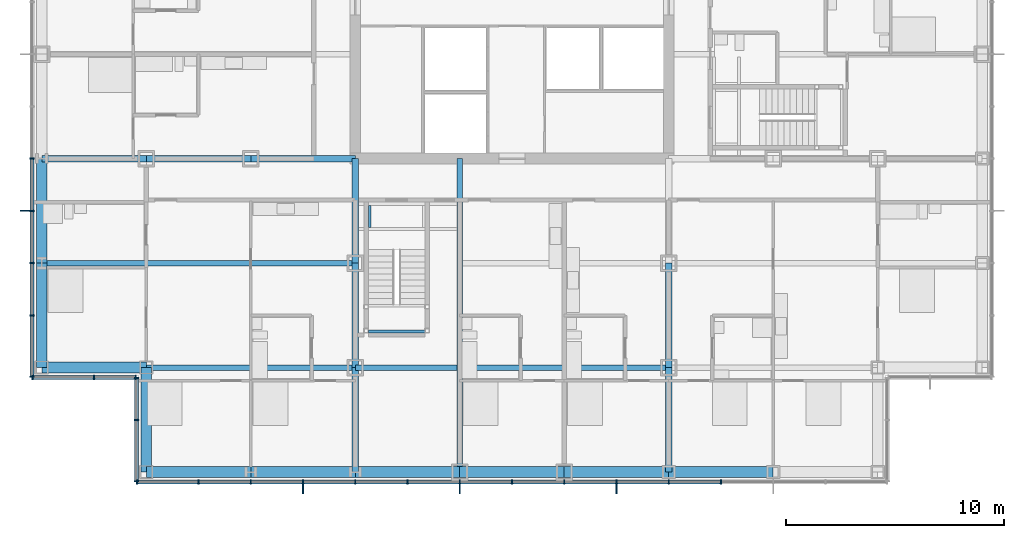
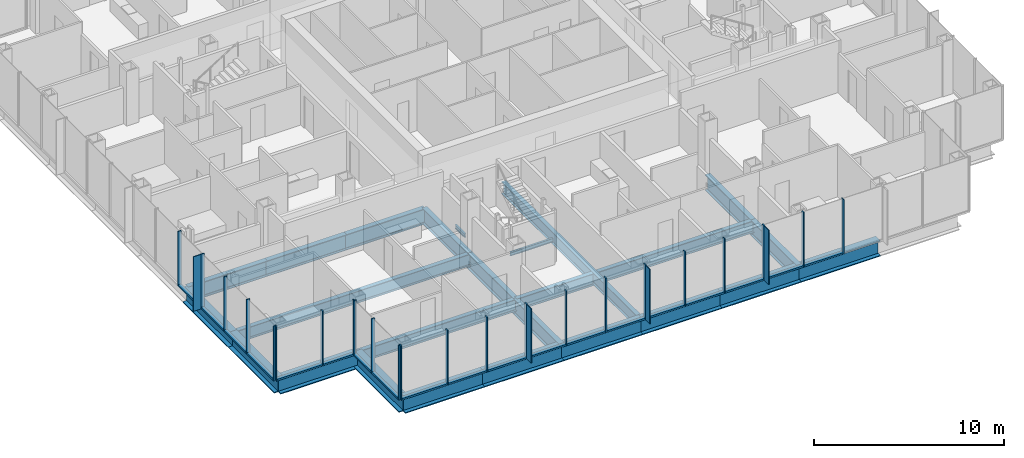
# One storey, part 6 of 21: 46 members, 25 beams, 4 elements without a shape of their own.
"""IFC4 building model written with IfcOpenShell, lengths in metres."""

from ifc_helpers import new_model, si_unit, direction, frame, origin, origin_2d, place, context, subcontext, project, spatial, rectangle, i_section, extrude, material, material_profile, profile_set, type_object, element, aggregate, save


model = new_model("IFC4")

# Units and contexts
model_context = context("Model", 3, precision=1e-05, world=origin(), true_north=direction((0.0, 1.0)))
body_context = subcontext(model_context, "Body", "Model", "MODEL_VIEW")
ifc_project = project(units=[si_unit("LENGTHUNIT", "METRE"), si_unit("AREAUNIT", "SQUARE_METRE"), si_unit("VOLUMEUNIT", "CUBIC_METRE"), si_unit("PLANEANGLEUNIT", "RADIAN"), si_unit("MASSUNIT", "GRAM", prefix="KILO")], contexts=[model_context])

# Site, building, storey
site_placement = place(None, origin())
site = spatial("IfcSite", under=ifc_project, at=site_placement, CompositionType="ELEMENT")
building_placement = place(site_placement, origin())
building = spatial("IfcBuilding", under=site, at=building_placement, Name="Kvirike Care Tower", CompositionType="ELEMENT")
storey_placement = place(building_placement, frame((0.0, 0.0, 51.5)))
storey = spatial("IfcBuildingStorey", under=building, at=storey_placement, Name="L13", CompositionType="ELEMENT", Elevation=51.5)

# Curtain wall, member
ifc_material_1 = material(Name="Anodised aluminium stick system", Category="aluminium")
curtain_wall_type = type_object("IfcCurtainWallType", Name="CW-A STICK CURTAIN WALL", PredefinedType="NOTDEFINED", material=ifc_material_1)
curtain_wall_1_placement = place(storey_placement, origin())
curtain_wall_1 = element("IfcCurtainWall", 1, at=curtain_wall_1_placement, inside=storey, type_object=curtain_wall_type, Name="Curtain wall L13 face 1", PredefinedType="NOTDEFINED")
ifc_material_2 = material(Name="Bronze anodised aluminium fin", Category="aluminium")
ifc_material_profile_1 = material_profile(ifc_material_2, rectangle(XDim=0.050048828125, YDim=0.449951171875, at=origin_2d()), Name="BRONZE FIN 450")
ifc_profile_set_1 = profile_set([ifc_material_profile_1], Name="Bronze anodised aluminium fin")
member_type_1 = type_object("IfcMemberType", Name="BRONZE FIN 450", PredefinedType="USERDEFINED", material=ifc_profile_set_1)
member_1_placement = place(storey_placement, frame((-0.77490234375, 26.39990234375, 0.0), z_axis=(0.0, 0.0, 1.0), x_axis=(0.0, -1.0, 0.0)))
member_1 = element("IfcMember", 2, at=member_1_placement, type_object=member_type_1, Name="Bronze fin L13 face 1.12", ObjectType="FIN", PredefinedType="USERDEFINED", context=body_context, shape_type="SweptSolid", body=[
    extrude(rectangle(XDim=0.050048828125, YDim=0.449951171875, at=origin_2d()), origin(), (0.0, 0.0, 1.0), 3.5),
])

# Curtain wall, members
curtain_wall_2_placement = place(storey_placement, origin())
curtain_wall_2 = element("IfcCurtainWall", 3, at=curtain_wall_2_placement, inside=storey, type_object=curtain_wall_type, Name="Curtain wall L13 face 4", PredefinedType="NOTDEFINED")
member_2_placement = place(storey_placement, frame((12.0, 13.625, 0.0), z_axis=(0.0, 0.0, 1.0), x_axis=(1.0, 0.0, 0.0)))
member_2 = element("IfcMember", 4, at=member_2_placement, type_object=member_type_1, Name="Bronze fin L13 face 4.4", ObjectType="FIN", PredefinedType="USERDEFINED", context=body_context, shape_type="SweptSolid", body=[
    extrude(rectangle(XDim=0.050048828125, YDim=0.449951171875, at=origin_2d()), origin(), (0.0, 0.0, 1.0), 3.5),
])
member_3_placement = place(storey_placement, frame((19.199951171875, 13.625, 0.0), z_axis=(0.0, 0.0, 1.0), x_axis=(1.0, 0.0, 0.0)))
member_3 = element("IfcMember", 5, at=member_3_placement, type_object=member_type_1, Name="Bronze fin L13 face 4.7", ObjectType="FIN", PredefinedType="USERDEFINED", context=body_context, shape_type="SweptSolid", body=[
    extrude(rectangle(XDim=0.050048828125, YDim=0.449951171875, at=origin_2d()), origin(), (0.0, 0.0, 1.0), 3.5),
])
member_4_placement = place(storey_placement, frame((26.39990234375, 13.625, 0.0), z_axis=(0.0, 0.0, 1.0), x_axis=(1.0, 0.0, 0.0)))
member_4 = element("IfcMember", 6, at=member_4_placement, type_object=member_type_1, Name="Bronze fin L13 face 4.10", ObjectType="FIN", PredefinedType="USERDEFINED", context=body_context, shape_type="SweptSolid", body=[
    extrude(rectangle(XDim=0.050048828125, YDim=0.449951171875, at=origin_2d()), origin(), (0.0, 0.0, 1.0), 3.5),
])

# Member
ifc_material_3 = material(Name="Bronze anodised aluminium mullion", Category="aluminium")
ifc_material_profile_2 = material_profile(ifc_material_3, rectangle(XDim=0.06494140625, YDim=0.199951171875, at=origin_2d()), Name="CW-A MULLION 65x200")
ifc_profile_set_2 = profile_set([ifc_material_profile_2], Name="Bronze anodised aluminium mullion")
member_type_2 = type_object("IfcMemberType", Name="CW-A MULLION 65x200", PredefinedType="MULLION", material=ifc_profile_set_2)
member_5_placement = place(storey_placement, frame((-0.449951171875, 28.800048828125, 0.0), z_axis=(0.0, 0.0, 1.0), x_axis=(0.0, -1.0, 0.0)))
member_5 = element("IfcMember", 7, at=member_5_placement, type_object=member_type_2, Name="CW-A mullion L13 face 1.11", PredefinedType="MULLION", context=body_context, shape_type="SweptSolid", body=[
    extrude(rectangle(XDim=0.06494140625, YDim=0.199951171875, at=origin_2d()), origin(), (0.0, 0.0, 1.0), 3.5),
])

member_6_placement = place(storey_placement, frame((-0.449951171875, 26.39990234375, 0.0), z_axis=(0.0, 0.0, 1.0), x_axis=(0.0, -1.0, 0.0)))
member_6 = element("IfcMember", 8, at=member_6_placement, type_object=member_type_2, Name="CW-A mullion L13 face 1.12", PredefinedType="MULLION", context=body_context, shape_type="SweptSolid", body=[
    extrude(rectangle(XDim=0.06494140625, YDim=0.199951171875, at=origin_2d()), origin(), (0.0, 0.0, 1.0), 3.5),
])

member_7_placement = place(storey_placement, frame((-0.449951171875, 24.0, 0.0), z_axis=(0.0, 0.0, 1.0), x_axis=(0.0, -1.0, 0.0)))
member_7 = element("IfcMember", 9, at=member_7_placement, type_object=member_type_2, Name="CW-A mullion L13 face 1.13", PredefinedType="MULLION", context=body_context, shape_type="SweptSolid", body=[
    extrude(rectangle(XDim=0.06494140625, YDim=0.199951171875, at=origin_2d()), origin(), (0.0, 0.0, 1.0), 3.5),
])

member_8_placement = place(storey_placement, frame((-0.449951171875, 21.60009765625, 0.0), z_axis=(0.0, 0.0, 1.0), x_axis=(0.0, -1.0, 0.0)))
member_8 = element("IfcMember", 10, at=member_8_placement, type_object=member_type_2, Name="CW-A mullion L13 face 1.14", PredefinedType="MULLION", context=body_context, shape_type="SweptSolid", body=[
    extrude(rectangle(XDim=0.06494140625, YDim=0.199951171875, at=origin_2d()), origin(), (0.0, 0.0, 1.0), 3.5),
])

member_9_placement = place(storey_placement, frame((-0.449951171875, 18.782470703125, 0.0), z_axis=(0.0, 0.0, 1.0), x_axis=(0.0, -1.0, 0.0)))
member_9 = element("IfcMember", 11, at=member_9_placement, type_object=member_type_2, Name="CW-A mullion L13 face 1.15", PredefinedType="MULLION", context=body_context, shape_type="SweptSolid", body=[
    extrude(rectangle(XDim=0.06494140625, YDim=0.199951171875, at=origin_2d()), origin(), (0.0, 0.0, 1.0), 3.5),
])

# Curtain wall, members
curtain_wall_3_placement = place(storey_placement, origin())
curtain_wall_3 = element("IfcCurtainWall", 12, at=curtain_wall_3_placement, inside=storey, type_object=curtain_wall_type, Name="Curtain wall L13 face 2", PredefinedType="NOTDEFINED")
member_10_placement = place(storey_placement, frame((-0.41748046875, 18.75, 0.0), z_axis=(0.0, 0.0, 1.0), x_axis=(1.0, 0.0, 0.0)))
member_10 = element("IfcMember", 13, at=member_10_placement, type_object=member_type_2, Name="CW-A mullion L13 face 2.1", PredefinedType="MULLION", context=body_context, shape_type="SweptSolid", body=[
    extrude(rectangle(XDim=0.06494140625, YDim=0.199951171875, at=origin_2d()), origin(), (0.0, 0.0, 1.0), 3.5),
])
member_11_placement = place(storey_placement, frame((2.39990234375, 18.75, 0.0), z_axis=(0.0, 0.0, 1.0), x_axis=(1.0, 0.0, 0.0)))
member_11 = element("IfcMember", 14, at=member_11_placement, type_object=member_type_2, Name="CW-A mullion L13 face 2.2", PredefinedType="MULLION", context=body_context, shape_type="SweptSolid", body=[
    extrude(rectangle(XDim=0.06494140625, YDim=0.199951171875, at=origin_2d()), origin(), (0.0, 0.0, 1.0), 3.5),
])
member_12_placement = place(storey_placement, frame((4.3173828125, 18.75, 0.0), z_axis=(0.0, 0.0, 1.0), x_axis=(1.0, 0.0, 0.0)))
member_12 = element("IfcMember", 15, at=member_12_placement, type_object=member_type_2, Name="CW-A mullion L13 face 2.3", PredefinedType="MULLION", context=body_context, shape_type="SweptSolid", body=[
    extrude(rectangle(XDim=0.06494140625, YDim=0.199951171875, at=origin_2d()), origin(), (0.0, 0.0, 1.0), 3.5),
])

curtain_wall_4_placement = place(storey_placement, origin())
curtain_wall_4 = element("IfcCurtainWall", 16, at=curtain_wall_4_placement, inside=storey, type_object=curtain_wall_type, Name="Curtain wall L13 face 3", PredefinedType="NOTDEFINED")
member_13_placement = place(storey_placement, frame((4.35009765625, 18.717529296875, 0.0), z_axis=(0.0, 0.0, 1.0), x_axis=(0.0, -1.0, 0.0)))
member_13 = element("IfcMember", 17, at=member_13_placement, type_object=member_type_2, Name="CW-A mullion L13 face 3.1", PredefinedType="MULLION", context=body_context, shape_type="SweptSolid", body=[
    extrude(rectangle(XDim=0.06494140625, YDim=0.199951171875, at=origin_2d()), origin(), (0.0, 0.0, 1.0), 3.5),
])
member_14_placement = place(storey_placement, frame((4.35009765625, 16.800048828125, 0.0), z_axis=(0.0, 0.0, 1.0), x_axis=(0.0, -1.0, 0.0)))
member_14 = element("IfcMember", 18, at=member_14_placement, type_object=member_type_2, Name="CW-A mullion L13 face 3.2", PredefinedType="MULLION", context=body_context, shape_type="SweptSolid", body=[
    extrude(rectangle(XDim=0.06494140625, YDim=0.199951171875, at=origin_2d()), origin(), (0.0, 0.0, 1.0), 3.5),
])
member_15_placement = place(storey_placement, frame((4.35009765625, 13.982421875, 0.0), z_axis=(0.0, 0.0, 1.0), x_axis=(0.0, -1.0, 0.0)))
member_15 = element("IfcMember", 19, at=member_15_placement, type_object=member_type_2, Name="CW-A mullion L13 face 3.3", PredefinedType="MULLION", context=body_context, shape_type="SweptSolid", body=[
    extrude(rectangle(XDim=0.06494140625, YDim=0.199951171875, at=origin_2d()), origin(), (0.0, 0.0, 1.0), 3.5),
])

# Member
member_16_placement = place(storey_placement, frame((4.382568359375, 13.949951171875, 0.0), z_axis=(0.0, 0.0, 1.0), x_axis=(1.0, 0.0, 0.0)))
member_16 = element("IfcMember", 20, at=member_16_placement, type_object=member_type_2, Name="CW-A mullion L13 face 4.1", PredefinedType="MULLION", context=body_context, shape_type="SweptSolid", body=[
    extrude(rectangle(XDim=0.06494140625, YDim=0.199951171875, at=origin_2d()), origin(), (0.0, 0.0, 1.0), 3.5),
])

member_17_placement = place(storey_placement, frame((7.199951171875, 13.949951171875, 0.0), z_axis=(0.0, 0.0, 1.0), x_axis=(1.0, 0.0, 0.0)))
member_17 = element("IfcMember", 21, at=member_17_placement, type_object=member_type_2, Name="CW-A mullion L13 face 4.2", PredefinedType="MULLION", context=body_context, shape_type="SweptSolid", body=[
    extrude(rectangle(XDim=0.06494140625, YDim=0.199951171875, at=origin_2d()), origin(), (0.0, 0.0, 1.0), 3.5),
])

member_18_placement = place(storey_placement, frame((9.60009765625, 13.949951171875, 0.0), z_axis=(0.0, 0.0, 1.0), x_axis=(1.0, 0.0, 0.0)))
member_18 = element("IfcMember", 22, at=member_18_placement, type_object=member_type_2, Name="CW-A mullion L13 face 4.3", PredefinedType="MULLION", context=body_context, shape_type="SweptSolid", body=[
    extrude(rectangle(XDim=0.06494140625, YDim=0.199951171875, at=origin_2d()), origin(), (0.0, 0.0, 1.0), 3.5),
])

member_19_placement = place(storey_placement, frame((12.0, 13.949951171875, 0.0), z_axis=(0.0, 0.0, 1.0), x_axis=(1.0, 0.0, 0.0)))
member_19 = element("IfcMember", 23, at=member_19_placement, type_object=member_type_2, Name="CW-A mullion L13 face 4.4", PredefinedType="MULLION", context=body_context, shape_type="SweptSolid", body=[
    extrude(rectangle(XDim=0.06494140625, YDim=0.199951171875, at=origin_2d()), origin(), (0.0, 0.0, 1.0), 3.5),
])

member_20_placement = place(storey_placement, frame((14.39990234375, 13.949951171875, 0.0), z_axis=(0.0, 0.0, 1.0), x_axis=(1.0, 0.0, 0.0)))
member_20 = element("IfcMember", 24, at=member_20_placement, type_object=member_type_2, Name="CW-A mullion L13 face 4.5", PredefinedType="MULLION", context=body_context, shape_type="SweptSolid", body=[
    extrude(rectangle(XDim=0.06494140625, YDim=0.199951171875, at=origin_2d()), origin(), (0.0, 0.0, 1.0), 3.5),
])

member_21_placement = place(storey_placement, frame((16.800048828125, 13.949951171875, 0.0), z_axis=(0.0, 0.0, 1.0), x_axis=(1.0, 0.0, 0.0)))
member_21 = element("IfcMember", 25, at=member_21_placement, type_object=member_type_2, Name="CW-A mullion L13 face 4.6", PredefinedType="MULLION", context=body_context, shape_type="SweptSolid", body=[
    extrude(rectangle(XDim=0.06494140625, YDim=0.199951171875, at=origin_2d()), origin(), (0.0, 0.0, 1.0), 3.5),
])

member_22_placement = place(storey_placement, frame((19.199951171875, 13.949951171875, 0.0), z_axis=(0.0, 0.0, 1.0), x_axis=(1.0, 0.0, 0.0)))
member_22 = element("IfcMember", 26, at=member_22_placement, type_object=member_type_2, Name="CW-A mullion L13 face 4.7", PredefinedType="MULLION", context=body_context, shape_type="SweptSolid", body=[
    extrude(rectangle(XDim=0.06494140625, YDim=0.199951171875, at=origin_2d()), origin(), (0.0, 0.0, 1.0), 3.5),
])

member_23_placement = place(storey_placement, frame((21.60009765625, 13.949951171875, 0.0), z_axis=(0.0, 0.0, 1.0), x_axis=(1.0, 0.0, 0.0)))
member_23 = element("IfcMember", 27, at=member_23_placement, type_object=member_type_2, Name="CW-A mullion L13 face 4.8", PredefinedType="MULLION", context=body_context, shape_type="SweptSolid", body=[
    extrude(rectangle(XDim=0.06494140625, YDim=0.199951171875, at=origin_2d()), origin(), (0.0, 0.0, 1.0), 3.5),
])

member_24_placement = place(storey_placement, frame((24.0, 13.949951171875, 0.0), z_axis=(0.0, 0.0, 1.0), x_axis=(1.0, 0.0, 0.0)))
member_24 = element("IfcMember", 28, at=member_24_placement, type_object=member_type_2, Name="CW-A mullion L13 face 4.9", PredefinedType="MULLION", context=body_context, shape_type="SweptSolid", body=[
    extrude(rectangle(XDim=0.06494140625, YDim=0.199951171875, at=origin_2d()), origin(), (0.0, 0.0, 1.0), 3.5),
])

member_25_placement = place(storey_placement, frame((26.39990234375, 13.949951171875, 0.0), z_axis=(0.0, 0.0, 1.0), x_axis=(1.0, 0.0, 0.0)))
member_25 = element("IfcMember", 29, at=member_25_placement, type_object=member_type_2, Name="CW-A mullion L13 face 4.10", PredefinedType="MULLION", context=body_context, shape_type="SweptSolid", body=[
    extrude(rectangle(XDim=0.06494140625, YDim=0.199951171875, at=origin_2d()), origin(), (0.0, 0.0, 1.0), 3.5),
])

member_26_placement = place(storey_placement, frame((28.800048828125, 13.949951171875, 0.0), z_axis=(0.0, 0.0, 1.0), x_axis=(1.0, 0.0, 0.0)))
member_26 = element("IfcMember", 30, at=member_26_placement, type_object=member_type_2, Name="CW-A mullion L13 face 4.11", PredefinedType="MULLION", context=body_context, shape_type="SweptSolid", body=[
    extrude(rectangle(XDim=0.06494140625, YDim=0.199951171875, at=origin_2d()), origin(), (0.0, 0.0, 1.0), 3.5),
])

member_27_placement = place(storey_placement, frame((31.199951171875, 13.949951171875, 0.0), z_axis=(0.0, 0.0, 1.0), x_axis=(1.0, 0.0, 0.0)))
member_27 = element("IfcMember", 31, at=member_27_placement, type_object=member_type_2, Name="CW-A mullion L13 face 4.12", PredefinedType="MULLION", context=body_context, shape_type="SweptSolid", body=[
    extrude(rectangle(XDim=0.06494140625, YDim=0.199951171875, at=origin_2d()), origin(), (0.0, 0.0, 1.0), 3.5),
])

ifc_material_4 = material(Name="Bronze anodised aluminium transom", Category="aluminium")
ifc_material_profile_3 = material_profile(ifc_material_4, rectangle(XDim=0.199951171875, YDim=0.10009765625, at=origin_2d()), Name="CW-A TRANSOM 200x100")
ifc_profile_set_3 = profile_set([ifc_material_profile_3], Name="Bronze anodised aluminium transom")
member_type_3 = type_object("IfcMemberType", Name="CW-A TRANSOM 200x100", PredefinedType="USERDEFINED", material=ifc_profile_set_3)
member_28_placement = place(storey_placement, frame((-0.449951171875, 28.767578125, 0.050048828125), z_axis=(0.0, -1.0, 0.0), x_axis=(1.0, 0.0, 0.0)))
member_28 = element("IfcMember", 32, at=member_28_placement, type_object=member_type_3, Name="CW-A sill transom L13 face 1.11", ObjectType="TRANSOM", PredefinedType="USERDEFINED", context=body_context, shape_type="SweptSolid", body=[
    extrude(rectangle(XDim=0.199951171875, YDim=0.10009765625, at=origin_2d()), origin(), (0.0, 0.0, 1.0), 2.3349609375),
])

member_29_placement = place(storey_placement, frame((-0.449951171875, 26.367431640625, 0.050048828125), z_axis=(0.0, -1.0, 0.0), x_axis=(1.0, 0.0, 0.0)))
member_29 = element("IfcMember", 33, at=member_29_placement, type_object=member_type_3, Name="CW-A sill transom L13 face 1.12", ObjectType="TRANSOM", PredefinedType="USERDEFINED", context=body_context, shape_type="SweptSolid", body=[
    extrude(rectangle(XDim=0.199951171875, YDim=0.10009765625, at=origin_2d()), origin(), (0.0, 0.0, 1.0), 2.3349609375),
])

member_30_placement = place(storey_placement, frame((-0.449951171875, 23.967529296875, 0.050048828125), z_axis=(0.0, -1.0, 0.0), x_axis=(1.0, 0.0, 0.0)))
member_30 = element("IfcMember", 34, at=member_30_placement, type_object=member_type_3, Name="CW-A sill transom L13 face 1.13", ObjectType="TRANSOM", PredefinedType="USERDEFINED", context=body_context, shape_type="SweptSolid", body=[
    extrude(rectangle(XDim=0.199951171875, YDim=0.10009765625, at=origin_2d()), origin(), (0.0, 0.0, 1.0), 2.3349609375),
])

member_31_placement = place(storey_placement, frame((-0.449951171875, 21.5673828125, 0.050048828125), z_axis=(0.0, -1.0, 0.0), x_axis=(1.0, 0.0, 0.0)))
member_31 = element("IfcMember", 35, at=member_31_placement, type_object=member_type_3, Name="CW-A sill transom L13 face 1.14", ObjectType="TRANSOM", PredefinedType="USERDEFINED", context=body_context, shape_type="SweptSolid", body=[
    extrude(rectangle(XDim=0.199951171875, YDim=0.10009765625, at=origin_2d()), origin(), (0.0, 0.0, 1.0), 2.75244140625),
])

aggregate(curtain_wall_1, [member_5, member_6, member_1, member_7, member_8, member_9, member_28, member_29, member_30, member_31])

member_32_placement = place(storey_placement, frame((-0.385009765625, 18.75, 0.050048828125), z_axis=(1.0, 0.0, 0.0), x_axis=(0.0, 1.0, 0.0)))
member_32 = element("IfcMember", 36, at=member_32_placement, type_object=member_type_3, Name="CW-A sill transom L13 face 2.1", ObjectType="TRANSOM", PredefinedType="USERDEFINED", context=body_context, shape_type="SweptSolid", body=[
    extrude(rectangle(XDim=0.199951171875, YDim=0.10009765625, at=origin_2d()), origin(), (0.0, 0.0, 1.0), 2.75244140625),
])

member_33_placement = place(storey_placement, frame((2.4326171875, 18.75, 0.050048828125), z_axis=(1.0, 0.0, 0.0), x_axis=(0.0, 1.0, 0.0)))
member_33 = element("IfcMember", 37, at=member_33_placement, type_object=member_type_3, Name="CW-A sill transom L13 face 2.2", ObjectType="TRANSOM", PredefinedType="USERDEFINED", context=body_context, shape_type="SweptSolid", body=[
    extrude(rectangle(XDim=0.199951171875, YDim=0.10009765625, at=origin_2d()), origin(), (0.0, 0.0, 1.0), 1.852294921875),
])

aggregate(curtain_wall_3, [member_10, member_11, member_12, member_32, member_33])

member_34_placement = place(storey_placement, frame((4.35009765625, 18.68505859375, 0.050048828125), z_axis=(0.0, -1.0, 0.0), x_axis=(1.0, 0.0, 0.0)))
member_34 = element("IfcMember", 38, at=member_34_placement, type_object=member_type_3, Name="CW-A sill transom L13 face 3.1", ObjectType="TRANSOM", PredefinedType="USERDEFINED", context=body_context, shape_type="SweptSolid", body=[
    extrude(rectangle(XDim=0.199951171875, YDim=0.10009765625, at=origin_2d()), origin(), (0.0, 0.0, 1.0), 1.8525390625),
])

member_35_placement = place(storey_placement, frame((4.35009765625, 16.767578125, 0.050048828125), z_axis=(0.0, -1.0, 0.0), x_axis=(1.0, 0.0, 0.0)))
member_35 = element("IfcMember", 39, at=member_35_placement, type_object=member_type_3, Name="CW-A sill transom L13 face 3.2", ObjectType="TRANSOM", PredefinedType="USERDEFINED", context=body_context, shape_type="SweptSolid", body=[
    extrude(rectangle(XDim=0.199951171875, YDim=0.10009765625, at=origin_2d()), origin(), (0.0, 0.0, 1.0), 2.752685546875),
])

aggregate(curtain_wall_4, [member_13, member_14, member_15, member_34, member_35])

member_36_placement = place(storey_placement, frame((4.4150390625, 13.949951171875, 0.050048828125), z_axis=(1.0, 0.0, 0.0), x_axis=(0.0, 1.0, 0.0)))
member_36 = element("IfcMember", 40, at=member_36_placement, type_object=member_type_3, Name="CW-A sill transom L13 face 4.1", ObjectType="TRANSOM", PredefinedType="USERDEFINED", context=body_context, shape_type="SweptSolid", body=[
    extrude(rectangle(XDim=0.199951171875, YDim=0.10009765625, at=origin_2d()), origin(), (0.0, 0.0, 1.0), 2.75244140625),
])

member_37_placement = place(storey_placement, frame((7.232421875, 13.949951171875, 0.050048828125), z_axis=(1.0, 0.0, 0.0), x_axis=(0.0, 1.0, 0.0)))
member_37 = element("IfcMember", 41, at=member_37_placement, type_object=member_type_3, Name="CW-A sill transom L13 face 4.2", ObjectType="TRANSOM", PredefinedType="USERDEFINED", context=body_context, shape_type="SweptSolid", body=[
    extrude(rectangle(XDim=0.199951171875, YDim=0.10009765625, at=origin_2d()), origin(), (0.0, 0.0, 1.0), 2.3349609375),
])

member_38_placement = place(storey_placement, frame((9.632568359375, 13.949951171875, 0.050048828125), z_axis=(1.0, 0.0, 0.0), x_axis=(0.0, 1.0, 0.0)))
member_38 = element("IfcMember", 42, at=member_38_placement, type_object=member_type_3, Name="CW-A sill transom L13 face 4.3", ObjectType="TRANSOM", PredefinedType="USERDEFINED", context=body_context, shape_type="SweptSolid", body=[
    extrude(rectangle(XDim=0.199951171875, YDim=0.10009765625, at=origin_2d()), origin(), (0.0, 0.0, 1.0), 2.3349609375),
])

member_39_placement = place(storey_placement, frame((12.032470703125, 13.949951171875, 0.050048828125), z_axis=(1.0, 0.0, 0.0), x_axis=(0.0, 1.0, 0.0)))
member_39 = element("IfcMember", 43, at=member_39_placement, type_object=member_type_3, Name="CW-A sill transom L13 face 4.4", ObjectType="TRANSOM", PredefinedType="USERDEFINED", context=body_context, shape_type="SweptSolid", body=[
    extrude(rectangle(XDim=0.199951171875, YDim=0.10009765625, at=origin_2d()), origin(), (0.0, 0.0, 1.0), 2.3349609375),
])

member_40_placement = place(storey_placement, frame((14.4326171875, 13.949951171875, 0.050048828125), z_axis=(1.0, 0.0, 0.0), x_axis=(0.0, 1.0, 0.0)))
member_40 = element("IfcMember", 44, at=member_40_placement, type_object=member_type_3, Name="CW-A sill transom L13 face 4.5", ObjectType="TRANSOM", PredefinedType="USERDEFINED", context=body_context, shape_type="SweptSolid", body=[
    extrude(rectangle(XDim=0.199951171875, YDim=0.10009765625, at=origin_2d()), origin(), (0.0, 0.0, 1.0), 2.3349609375),
])

member_41_placement = place(storey_placement, frame((16.83251953125, 13.949951171875, 0.050048828125), z_axis=(1.0, 0.0, 0.0), x_axis=(0.0, 1.0, 0.0)))
member_41 = element("IfcMember", 45, at=member_41_placement, type_object=member_type_3, Name="CW-A sill transom L13 face 4.6", ObjectType="TRANSOM", PredefinedType="USERDEFINED", context=body_context, shape_type="SweptSolid", body=[
    extrude(rectangle(XDim=0.199951171875, YDim=0.10009765625, at=origin_2d()), origin(), (0.0, 0.0, 1.0), 2.3349609375),
])

member_42_placement = place(storey_placement, frame((19.232421875, 13.949951171875, 0.050048828125), z_axis=(1.0, 0.0, 0.0), x_axis=(0.0, 1.0, 0.0)))
member_42 = element("IfcMember", 46, at=member_42_placement, type_object=member_type_3, Name="CW-A sill transom L13 face 4.7", ObjectType="TRANSOM", PredefinedType="USERDEFINED", context=body_context, shape_type="SweptSolid", body=[
    extrude(rectangle(XDim=0.199951171875, YDim=0.10009765625, at=origin_2d()), origin(), (0.0, 0.0, 1.0), 2.3349609375),
])

member_43_placement = place(storey_placement, frame((21.632568359375, 13.949951171875, 0.050048828125), z_axis=(1.0, 0.0, 0.0), x_axis=(0.0, 1.0, 0.0)))
member_43 = element("IfcMember", 47, at=member_43_placement, type_object=member_type_3, Name="CW-A sill transom L13 face 4.8", ObjectType="TRANSOM", PredefinedType="USERDEFINED", context=body_context, shape_type="SweptSolid", body=[
    extrude(rectangle(XDim=0.199951171875, YDim=0.10009765625, at=origin_2d()), origin(), (0.0, 0.0, 1.0), 2.3349609375),
])

member_44_placement = place(storey_placement, frame((24.032470703125, 13.949951171875, 0.050048828125), z_axis=(1.0, 0.0, 0.0), x_axis=(0.0, 1.0, 0.0)))
member_44 = element("IfcMember", 48, at=member_44_placement, type_object=member_type_3, Name="CW-A sill transom L13 face 4.9", ObjectType="TRANSOM", PredefinedType="USERDEFINED", context=body_context, shape_type="SweptSolid", body=[
    extrude(rectangle(XDim=0.199951171875, YDim=0.10009765625, at=origin_2d()), origin(), (0.0, 0.0, 1.0), 2.3349609375),
])

member_45_placement = place(storey_placement, frame((26.4326171875, 13.949951171875, 0.050048828125), z_axis=(1.0, 0.0, 0.0), x_axis=(0.0, 1.0, 0.0)))
member_45 = element("IfcMember", 49, at=member_45_placement, type_object=member_type_3, Name="CW-A sill transom L13 face 4.10", ObjectType="TRANSOM", PredefinedType="USERDEFINED", context=body_context, shape_type="SweptSolid", body=[
    extrude(rectangle(XDim=0.199951171875, YDim=0.10009765625, at=origin_2d()), origin(), (0.0, 0.0, 1.0), 2.3349609375),
])

member_46_placement = place(storey_placement, frame((28.83251953125, 13.949951171875, 0.050048828125), z_axis=(1.0, 0.0, 0.0), x_axis=(0.0, 1.0, 0.0)))
member_46 = element("IfcMember", 50, at=member_46_placement, type_object=member_type_3, Name="CW-A sill transom L13 face 4.11", ObjectType="TRANSOM", PredefinedType="USERDEFINED", context=body_context, shape_type="SweptSolid", body=[
    extrude(rectangle(XDim=0.199951171875, YDim=0.10009765625, at=origin_2d()), origin(), (0.0, 0.0, 1.0), 2.3349609375),
])

aggregate(curtain_wall_2, [member_16, member_17, member_18, member_19, member_2, member_20, member_21, member_22, member_3, member_23, member_24, member_25, member_4, member_26, member_27, member_36, member_37, member_38, member_39, member_40, member_41, member_42, member_43, member_44, member_45, member_46])

# Beams
ifc_material_5 = material(Name="Steel S355", Category="steel")
ifc_material_profile_4 = material_profile(ifc_material_5, i_section(OverallWidth=0.26806640625, OverallDepth=0.77001953125, WebThickness=0.015625, FlangeThickness=0.025390625, FilletRadius=0.01708984375, at=origin_2d()), Name="IPE 750x196")
ifc_profile_set_4 = profile_set([ifc_material_profile_4], Name="Steel S355")
beam_type_1 = type_object("IfcBeamType", Name="FLOOR BEAM IPE 750x196", PredefinedType="BEAM", material=ifc_profile_set_4)
beam_1_placement = place(storey_placement, frame((4.800048828125, 19.199951171875, -0.554931640625), z_axis=(1.0, 0.0, 0.0), x_axis=(0.0, 1.0, 0.0)))
element("IfcBeam", 51, at=beam_1_placement, inside=storey, type_object=beam_type_1, Name="Floor Beam E4-E6 L13", PredefinedType="BEAM", context=body_context, shape_type="SweptSolid", body=[
    extrude(i_section(OverallWidth=0.26806640625, OverallDepth=0.77001953125, WebThickness=0.015625, FlangeThickness=0.025390625, FilletRadius=0.01708984375, at=origin_2d()), origin(), (0.0, 0.0, 1.0), 9.599853515625),
])
beam_2_placement = place(storey_placement, frame((14.39990234375, 19.199951171875, -0.554931640625), z_axis=(1.0, 0.0, 0.0), x_axis=(0.0, 1.0, 0.0)))
element("IfcBeam", 52, at=beam_2_placement, inside=storey, type_object=beam_type_1, Name="Floor Beam E6-E7 L13", PredefinedType="BEAM", context=body_context, shape_type="SweptSolid", body=[
    extrude(i_section(OverallWidth=0.26806640625, OverallDepth=0.77001953125, WebThickness=0.015625, FlangeThickness=0.025390625, FilletRadius=0.01708984375, at=origin_2d()), origin(), (0.0, 0.0, 1.0), 4.666015625),
])
beam_3_placement = place(storey_placement, frame((19.333984375, 19.199951171875, -0.554931640625), z_axis=(1.0, 0.0, 0.0), x_axis=(0.0, 1.0, 0.0)))
element("IfcBeam", 53, at=beam_3_placement, inside=storey, type_object=beam_type_1, Name="Floor Beam E7-E9 L13", PredefinedType="BEAM", context=body_context, shape_type="SweptSolid", body=[
    extrude(i_section(OverallWidth=0.26806640625, OverallDepth=0.77001953125, WebThickness=0.015625, FlangeThickness=0.025390625, FilletRadius=0.01708984375, at=origin_2d()), origin(), (0.0, 0.0, 1.0), 9.466064453125),
])
beam_4_placement = place(storey_placement, frame((0.0, 24.0, -0.554931640625), z_axis=(1.0, 0.0, 0.0), x_axis=(0.0, 1.0, 0.0)))
element("IfcBeam", 54, at=beam_4_placement, inside=storey, type_object=beam_type_1, Name="Floor Beam F3-F6 L13", PredefinedType="BEAM", context=body_context, shape_type="SweptSolid", body=[
    extrude(i_section(OverallWidth=0.26806640625, OverallDepth=0.77001953125, WebThickness=0.015625, FlangeThickness=0.025390625, FilletRadius=0.01708984375, at=origin_2d()), origin(), (0.0, 0.0, 1.0), 14.39990234375),
])
beam_5_placement = place(storey_placement, frame((19.199951171875, 14.39990234375, -0.554931640625), z_axis=(0.0, 1.0, 0.0), x_axis=(-1.0, 0.0, 0.0)))
element("IfcBeam", 55, at=beam_5_placement, inside=storey, type_object=beam_type_1, Name="Floor Beam D7-G7 L13", PredefinedType="BEAM", context=body_context, shape_type="SweptSolid", body=[
    extrude(i_section(OverallWidth=0.26806640625, OverallDepth=0.77001953125, WebThickness=0.015625, FlangeThickness=0.025390625, FilletRadius=0.01708984375, at=origin_2d()), origin(), (0.0, 0.0, 1.0), 14.400146484375),
])
ifc_material_6 = material(Name="Steel S355", Category="steel")
ifc_material_profile_5 = material_profile(ifc_material_6, i_section(OverallWidth=0.300048828125, OverallDepth=1.0, WebThickness=0.01904296875, FlangeThickness=0.035888671875, FilletRadius=0.030029296875, at=origin_2d()), Name="HE 1000 B")
ifc_profile_set_5 = profile_set([ifc_material_profile_5], Name="Steel S355")
beam_type_2 = type_object("IfcBeamType", Name="FRAME BEAM HE 1000 B", PredefinedType="BEAM", material=ifc_profile_set_5)
for number, where, z_axis, x_axis, name in (
    (56, (0.0, 28.800048828125, -0.669921875), (1.0, 0.0, 0.0), (0.0, 1.0, 0.0), "Frame Beam G3-G4 L13"),
    (57, (4.800048828125, 28.800048828125, -0.669921875), (1.0, 0.0, 0.0), (0.0, 1.0, 0.0), "Frame Beam G4-G5 L13"),
):
    element("IfcBeam", number, at=place(storey_placement, frame(where, z_axis=z_axis, x_axis=x_axis)), inside=storey, type_object=beam_type_2, Name=name, PredefinedType="BEAM", context=body_context, shape_type="SweptSolid", body=[
        extrude(i_section(OverallWidth=0.300048828125, OverallDepth=1.0, WebThickness=0.01904296875, FlangeThickness=0.035888671875, FilletRadius=0.030029296875, at=origin_2d()), origin(), (0.0, 0.0, 1.0), 4.800048828125),
    ])
beam_6_placement = place(storey_placement, frame((9.60009765625, 28.800048828125, -0.669921875), z_axis=(1.0, 0.0, 0.0), x_axis=(0.0, 1.0, 0.0)))
element("IfcBeam", 58, at=beam_6_placement, inside=storey, type_object=beam_type_2, Name="Frame Beam G5-G6 L13", PredefinedType="BEAM", context=body_context, shape_type="SweptSolid", body=[
    extrude(i_section(OverallWidth=0.300048828125, OverallDepth=1.0, WebThickness=0.01904296875, FlangeThickness=0.035888671875, FilletRadius=0.030029296875, at=origin_2d()), origin(), (0.0, 0.0, 1.0), 4.7998046875),
])
for number, where, z_axis, x_axis, name in (
    (59, (14.39990234375, 14.39990234375, -0.669921875), (0.0, 1.0, 0.0), (-1.0, 0.0, 0.0), "Frame Beam D6-E6 L13"),
    (60, (14.39990234375, 19.199951171875, -0.669921875), (0.0, 1.0, 0.0), (-1.0, 0.0, 0.0), "Frame Beam E6-F6 L13"),
    (61, (14.39990234375, 24.0, -0.669921875), (0.0, 1.0, 0.0), (-1.0, 0.0, 0.0), "Frame Beam F6-G6 L13"),
    (62, (28.800048828125, 14.39990234375, -0.669921875), (0.0, 1.0, 0.0), (-1.0, 0.0, 0.0), "Frame Beam D9-E9 L13"),
    (63, (28.800048828125, 19.199951171875, -0.669921875), (0.0, 1.0, 0.0), (-1.0, 0.0, 0.0), "Frame Beam E9-F9 L13"),
):
    element("IfcBeam", number, at=place(storey_placement, frame(where, z_axis=z_axis, x_axis=x_axis)), inside=storey, type_object=beam_type_2, Name=name, PredefinedType="BEAM", context=body_context, shape_type="SweptSolid", body=[
        extrude(i_section(OverallWidth=0.300048828125, OverallDepth=1.0, WebThickness=0.01904296875, FlangeThickness=0.035888671875, FilletRadius=0.030029296875, at=origin_2d()), origin(), (0.0, 0.0, 1.0), 4.800048828125),
    ])
ifc_material_7 = material(Name="Steel S355", Category="steel")
ifc_material_profile_6 = material_profile(ifc_material_7, i_section(OverallWidth=0.5, OverallDepth=1.0, WebThickness=0.030029296875, FlangeThickness=0.06005859375, at=origin_2d()), Name="PG 1000x500x30x60")
ifc_profile_set_6 = profile_set([ifc_material_profile_6], Name="Steel S355")
beam_type_3 = type_object("IfcBeamType", Name="SPANDREL PG 1000x500x30x60", PredefinedType="SPANDREL", material=ifc_profile_set_6)
beam_7_placement = place(storey_placement, frame((4.800048828125, 14.39990234375, -0.669921875), z_axis=(1.0, 0.0, 0.0), x_axis=(0.0, 1.0, 0.0)))
element("IfcBeam", 64, at=beam_7_placement, inside=storey, type_object=beam_type_3, Name="Spandrel D4-D5 L13", PredefinedType="SPANDREL", context=body_context, shape_type="SweptSolid", body=[
    extrude(i_section(OverallWidth=0.5, OverallDepth=1.0, WebThickness=0.030029296875, FlangeThickness=0.06005859375, at=origin_2d()), origin(), (0.0, 0.0, 1.0), 4.800048828125),
])
beam_8_placement = place(storey_placement, frame((9.60009765625, 14.39990234375, -0.669921875), z_axis=(1.0, 0.0, 0.0), x_axis=(0.0, 1.0, 0.0)))
element("IfcBeam", 65, at=beam_8_placement, inside=storey, type_object=beam_type_3, Name="Spandrel D5-D6 L13", PredefinedType="SPANDREL", context=body_context, shape_type="SweptSolid", body=[
    extrude(i_section(OverallWidth=0.5, OverallDepth=1.0, WebThickness=0.030029296875, FlangeThickness=0.06005859375, at=origin_2d()), origin(), (0.0, 0.0, 1.0), 4.7998046875),
])
for number, where, z_axis, x_axis, name in (
    (66, (14.39990234375, 14.39990234375, -0.669921875), (1.0, 0.0, 0.0), (0.0, 1.0, 0.0), "Spandrel D6-D7 L13"),
    (67, (19.199951171875, 14.39990234375, -0.669921875), (1.0, 0.0, 0.0), (0.0, 1.0, 0.0), "Spandrel D7-D8 L13"),
    (68, (24.0, 14.39990234375, -0.669921875), (1.0, 0.0, 0.0), (0.0, 1.0, 0.0), "Spandrel D8-D9 L13"),
    (69, (28.800048828125, 14.39990234375, -0.669921875), (1.0, 0.0, 0.0), (0.0, 1.0, 0.0), "Spandrel D9-D10 L13"),
    (70, (0.0, 19.199951171875, -0.669921875), (1.0, 0.0, 0.0), (0.0, 1.0, 0.0), "Spandrel E3-E4 L13"),
    (71, (0.0, 19.199951171875, -0.669921875), (0.0, 1.0, 0.0), (-1.0, 0.0, 0.0), "Spandrel E3-F3 L13"),
    (72, (0.0, 24.0, -0.669921875), (0.0, 1.0, 0.0), (-1.0, 0.0, 0.0), "Spandrel F3-G3 L13"),
    (73, (4.800048828125, 14.39990234375, -0.669921875), (0.0, 1.0, 0.0), (-1.0, 0.0, 0.0), "Spandrel D4-E4 L13"),
):
    element("IfcBeam", number, at=place(storey_placement, frame(where, z_axis=z_axis, x_axis=x_axis)), inside=storey, type_object=beam_type_3, Name=name, PredefinedType="SPANDREL", context=body_context, shape_type="SweptSolid", body=[
        extrude(i_section(OverallWidth=0.5, OverallDepth=1.0, WebThickness=0.030029296875, FlangeThickness=0.06005859375, at=origin_2d()), origin(), (0.0, 0.0, 1.0), 4.800048828125),
    ])
ifc_material_8 = material(Name="Steel S355", Category="steel")
ifc_material_profile_7 = material_profile(ifc_material_8, i_section(OverallWidth=0.1201171875, OverallDepth=0.239990234375, WebThickness=0.006103515625, FlangeThickness=0.009765625, FilletRadius=0.014892578125, at=origin_2d()), Name="IPE 240")
ifc_profile_set_7 = profile_set([ifc_material_profile_7], Name="Steel S355")
beam_type_4 = type_object("IfcBeamType", Name="STAIR LANDING BEAM IPE 240", PredefinedType="BEAM", material=ifc_profile_set_7)
beam_9_placement = place(storey_placement, frame((15.0, 20.860107421875, 1.429931640625), z_axis=(1.0, 0.0, 0.0), x_axis=(0.0, 1.0, 0.0)))
element("IfcBeam", 74, at=beam_9_placement, inside=storey, type_object=beam_type_4, Name="Stair 5 landing beam back L13", PredefinedType="BEAM", context=body_context, shape_type="SweptSolid", body=[
    extrude(i_section(OverallWidth=0.1201171875, OverallDepth=0.239990234375, WebThickness=0.006103515625, FlangeThickness=0.009765625, FilletRadius=0.014892578125, at=origin_2d()), origin(), (0.0, 0.0, 1.0), 2.60009765625),
])
beam_10_placement = place(storey_placement, frame((15.06005859375, 25.64990234375, -0.320068359375), z_axis=(0.0, 1.0, 0.0), x_axis=(-1.0, 0.0, 0.0)))
element("IfcBeam", 75, at=beam_10_placement, inside=storey, type_object=beam_type_4, Name="Stair 5 landing edge beam 1 L13", PredefinedType="BEAM", context=body_context, shape_type="SweptSolid", body=[
    extrude(i_section(OverallWidth=0.1201171875, OverallDepth=0.239990234375, WebThickness=0.006103515625, FlangeThickness=0.009765625, FilletRadius=0.014892578125, at=origin_2d()), origin(), (0.0, 0.0, 1.0), 1.0),
])

save(model, "model.ifc")
